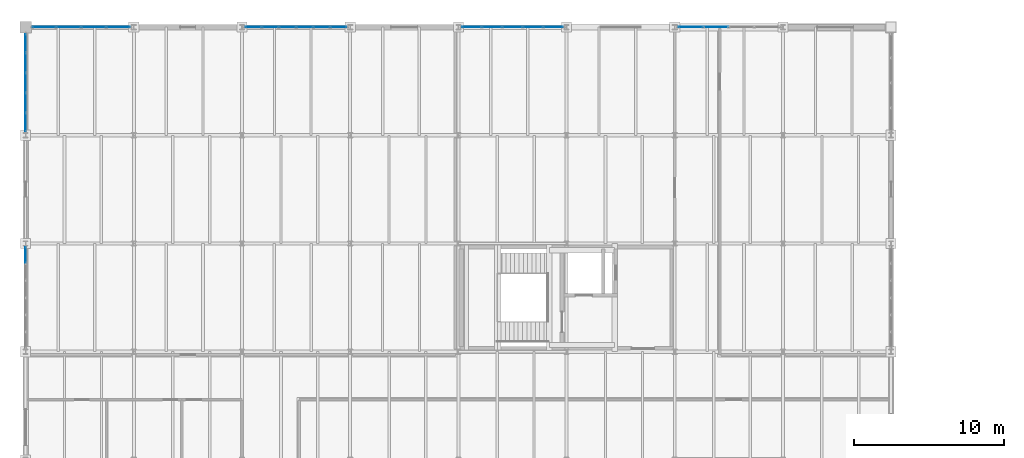
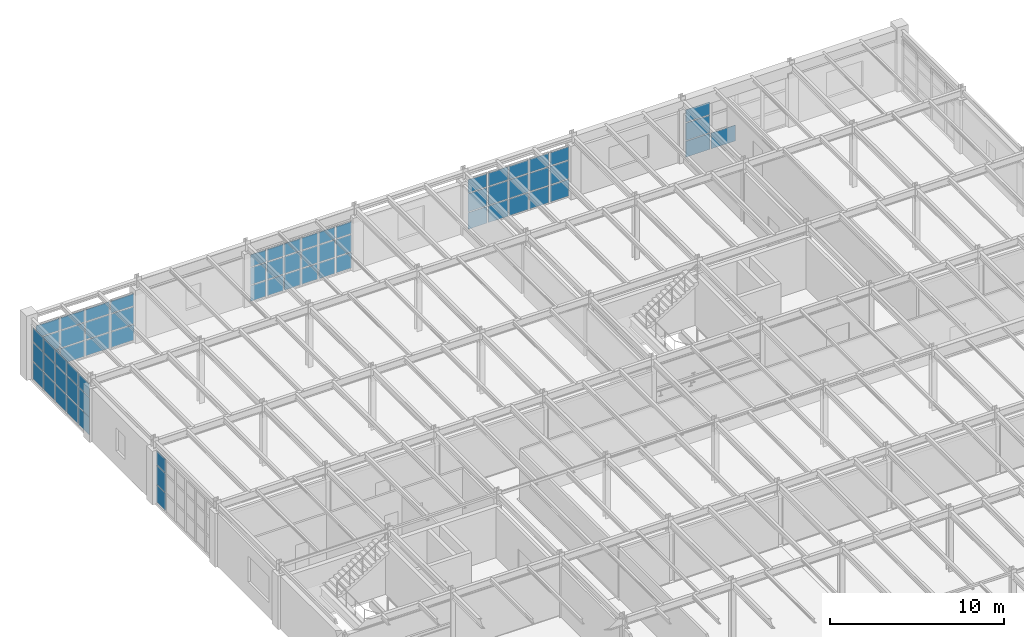
# One storey, part 114 of 137: 67 plates, 6 elements without a shape of their own.
"""IFC4 building model written with IfcOpenShell, lengths in metres."""

from ifc_helpers import new_model, si_unit, direction, frame, origin, origin_2d, place, context, subcontext, project, spatial, rectangle, extrude, material, layer, layer_set, type_object, element, aggregate, save


model = new_model("IFC4")

# Units and contexts
model_context = context("Model", 3, precision=1e-05, world=origin(), true_north=direction((0.0, 1.0)))
body_context = subcontext(model_context, "Body", "Model", "MODEL_VIEW")
ifc_project = project(units=[si_unit("LENGTHUNIT", "METRE"), si_unit("AREAUNIT", "SQUARE_METRE"), si_unit("VOLUMEUNIT", "CUBIC_METRE"), si_unit("PLANEANGLEUNIT", "RADIAN"), si_unit("MASSUNIT", "GRAM", prefix="KILO")], contexts=[model_context])

# Site, building, storey
site_placement = place(None, origin())
site = spatial("IfcSite", under=ifc_project, at=site_placement, CompositionType="ELEMENT")
building_placement = place(site_placement, origin())
building = spatial("IfcBuilding", under=site, at=building_placement, Name="Kemerveld Promenade Tramway Depot", CompositionType="ELEMENT")
storey_placement = place(building_placement, frame((0.0, 0.0, 5.39990234375)))
storey = spatial("IfcBuildingStorey", under=building, at=storey_placement, Name="L01", CompositionType="ELEMENT", Elevation=5.39990234375)

# Curtain wall, plates
ifc_material_1 = material(Name="Bronze anodised aluminium and solar glass", Category="aluminium")
ifc_layer_1 = layer(ifc_material_1, 0.199951171875)
ifc_layer_set_1 = layer_set([ifc_layer_1], Name="CW-SYS-10")
curtain_wall_type_1 = type_object("IfcCurtainWallType", Name="CW-SYS-10", PredefinedType="USERDEFINED", material=ifc_layer_set_1)
curtain_wall_1_placement = place(storey_placement, origin())
curtain_wall_1 = element("IfcCurtainWall", 1, at=curtain_wall_1_placement, inside=storey, type_object=curtain_wall_type_1, Name="CW-L01-V5N-07", ObjectType="GLAZED_CURTAIN_WALL", PredefinedType="USERDEFINED")
ifc_material_2 = material(Name="Solar-control laminated double glazing", Category="glass")
ifc_layer_2 = layer(ifc_material_2, 0.028076171875)
ifc_layer_set_2 = layer_set([ifc_layer_2], Name="CW-PNL-02")
plate_type_1 = type_object("IfcPlateType", Name="CW-PNL-02", PredefinedType="CURTAIN_PANEL", material=ifc_layer_set_2)
plate_1_placement = place(storey_placement, frame((44.25634765625, 79.199951171875, 0.065185546875), z_axis=(0.0, 0.0, 1.0), x_axis=(1.0, 0.0, 0.0)))
plate_1 = element("IfcPlate", 2, at=plate_1_placement, type_object=plate_type_1, Name="CW10 panel 1.1", PredefinedType="CURTAIN_PANEL", context=body_context, shape_type="SweptSolid", body=[
    extrude(rectangle(XDim=1.595703125, YDim=0.028076171875, at=origin_2d()), origin(), (0.0, 0.0, 1.0), 1.1064453125),
])
plate_2_placement = place(storey_placement, frame((44.25634765625, 79.199951171875, 1.236572265625), z_axis=(0.0, 0.0, 1.0), x_axis=(1.0, 0.0, 0.0)))
plate_2 = element("IfcPlate", 3, at=plate_2_placement, type_object=plate_type_1, Name="CW10 panel 1.2", PredefinedType="CURTAIN_PANEL", context=body_context, shape_type="SweptSolid", body=[
    extrude(rectangle(XDim=1.595703125, YDim=0.028076171875, at=origin_2d()), origin(), (0.0, 0.0, 1.0), 1.2080078125),
])
plate_3_placement = place(storey_placement, frame((44.25634765625, 79.199951171875, 2.509765625), z_axis=(0.0, 0.0, 1.0), x_axis=(1.0, 0.0, 0.0)))
plate_3 = element("IfcPlate", 4, at=plate_3_placement, type_object=plate_type_1, Name="CW10 panel 1.3", PredefinedType="CURTAIN_PANEL", context=body_context, shape_type="SweptSolid", body=[
    extrude(rectangle(XDim=1.595703125, YDim=0.028076171875, at=origin_2d()), origin(), (0.0, 0.0, 1.0), 0.865478515625),
])
plate_4_placement = place(storey_placement, frame((45.94580078125, 79.199951171875, 0.065185546875), z_axis=(0.0, 0.0, 1.0), x_axis=(1.0, 0.0, 0.0)))
plate_4 = element("IfcPlate", 5, at=plate_4_placement, type_object=plate_type_1, Name="CW10 panel 2.1", PredefinedType="CURTAIN_PANEL", context=body_context, shape_type="SweptSolid", body=[
    extrude(rectangle(XDim=1.63330078125, YDim=0.028076171875, at=origin_2d()), origin(), (0.0, 0.0, 1.0), 1.1064453125),
])
aggregate(curtain_wall_1, [plate_1, plate_2, plate_3, plate_4])

ifc_layer_3 = layer(ifc_material_1, 0.199951171875)
ifc_layer_set_3 = layer_set([ifc_layer_3], Name="CW-SYS-12")
curtain_wall_type_2 = type_object("IfcCurtainWallType", Name="CW-SYS-12", PredefinedType="USERDEFINED", material=ifc_layer_set_3)
curtain_wall_2_placement = place(storey_placement, origin())
curtain_wall_2 = element("IfcCurtainWall", 6, at=curtain_wall_2_placement, inside=storey, type_object=curtain_wall_type_2, Name="CW-L01-V5W-09", ObjectType="GLAZED_CURTAIN_WALL", PredefinedType="USERDEFINED")
ifc_layer_4 = layer(ifc_material_2, 0.031982421875)
ifc_layer_set_4 = layer_set([ifc_layer_4], Name="CW-PNL-04")
plate_type_2 = type_object("IfcPlateType", Name="CW-PNL-04", PredefinedType="CURTAIN_PANEL", material=ifc_layer_set_4)
plate_5_placement = place(storey_placement, frame((0.0, 64.0283203125, 0.06494140625), z_axis=(0.0, 0.0, 1.0), x_axis=(0.0, 1.0, 0.0)))
plate_5 = element("IfcPlate", 7, at=plate_5_placement, type_object=plate_type_2, Name="CW12 panel 6.1", PredefinedType="CURTAIN_PANEL", context=body_context, shape_type="SweptSolid", body=[
    extrude(rectangle(XDim=1.0263671875, YDim=0.031982421875, at=origin_2d()), origin(), (0.0, 0.0, 1.0), 1.198486328125),
])
plate_6_placement = place(storey_placement, frame((0.0, 64.0283203125, 1.32861328125), z_axis=(0.0, 0.0, 1.0), x_axis=(0.0, 1.0, 0.0)))
plate_6 = element("IfcPlate", 8, at=plate_6_placement, type_object=plate_type_2, Name="CW12 panel 6.2", PredefinedType="CURTAIN_PANEL", context=body_context, shape_type="SweptSolid", body=[
    extrude(rectangle(XDim=1.0263671875, YDim=0.031982421875, at=origin_2d()), origin(), (0.0, 0.0, 1.0), 1.304931640625),
])
plate_7_placement = place(storey_placement, frame((0.0, 64.0283203125, 2.698486328125), z_axis=(0.0, 0.0, 1.0), x_axis=(0.0, 1.0, 0.0)))
plate_7 = element("IfcPlate", 9, at=plate_7_placement, type_object=plate_type_2, Name="CW12 panel 6.3", PredefinedType="CURTAIN_PANEL", context=body_context, shape_type="SweptSolid", body=[
    extrude(rectangle(XDim=1.0263671875, YDim=0.031982421875, at=origin_2d()), origin(), (0.0, 0.0, 1.0), 0.93994140625),
])
aggregate(curtain_wall_2, [plate_5, plate_6, plate_7])

ifc_layer_5 = layer(ifc_material_1, 0.199951171875)
ifc_layer_set_5 = layer_set([ifc_layer_5], Name="CW-SYS-04")
curtain_wall_type_3 = type_object("IfcCurtainWallType", Name="CW-SYS-04", PredefinedType="USERDEFINED", material=ifc_layer_set_5)
curtain_wall_3_placement = place(storey_placement, origin())
curtain_wall_3 = element("IfcCurtainWall", 10, at=curtain_wall_3_placement, inside=storey, type_object=curtain_wall_type_3, Name="CW-L01-V5N-01", ObjectType="GLAZED_CURTAIN_WALL", PredefinedType="USERDEFINED")
plate_8_placement = place(storey_placement, frame((1.241455078125, 79.199951171875, 0.065185546875), z_axis=(0.0, 0.0, 1.0), x_axis=(1.0, 0.0, 0.0)))
plate_8 = element("IfcPlate", 11, at=plate_8_placement, type_object=plate_type_2, Name="CW04 panel 1.1", PredefinedType="CURTAIN_PANEL", context=body_context, shape_type="SweptSolid", body=[
    extrude(rectangle(XDim=1.54296875, YDim=0.031982421875, at=origin_2d()), origin(), (0.0, 0.0, 1.0), 1.08837890625),
])
plate_9_placement = place(storey_placement, frame((1.241455078125, 79.199951171875, 1.218505859375), z_axis=(0.0, 0.0, 1.0), x_axis=(1.0, 0.0, 0.0)))
plate_9 = element("IfcPlate", 12, at=plate_9_placement, type_object=plate_type_2, Name="CW04 panel 1.2", PredefinedType="CURTAIN_PANEL", context=body_context, shape_type="SweptSolid", body=[
    extrude(rectangle(XDim=1.54296875, YDim=0.031982421875, at=origin_2d()), origin(), (0.0, 0.0, 1.0), 1.18896484375),
])
plate_10_placement = place(storey_placement, frame((1.241455078125, 79.199951171875, 2.47265625), z_axis=(0.0, 0.0, 1.0), x_axis=(1.0, 0.0, 0.0)))
plate_10 = element("IfcPlate", 13, at=plate_10_placement, type_object=plate_type_2, Name="CW04 panel 1.3", PredefinedType="CURTAIN_PANEL", context=body_context, shape_type="SweptSolid", body=[
    extrude(rectangle(XDim=1.54296875, YDim=0.031982421875, at=origin_2d()), origin(), (0.0, 0.0, 1.0), 0.851806640625),
])
plate_11_placement = place(storey_placement, frame((2.8779296875, 79.199951171875, 0.065185546875), z_axis=(0.0, 0.0, 1.0), x_axis=(1.0, 0.0, 0.0)))
plate_11 = element("IfcPlate", 14, at=plate_11_placement, type_object=plate_type_2, Name="CW04 panel 2.1", PredefinedType="CURTAIN_PANEL", context=body_context, shape_type="SweptSolid", body=[
    extrude(rectangle(XDim=1.580322265625, YDim=0.031982421875, at=origin_2d()), origin(), (0.0, 0.0, 1.0), 1.08837890625),
])
plate_12_placement = place(storey_placement, frame((2.8779296875, 79.199951171875, 1.218505859375), z_axis=(0.0, 0.0, 1.0), x_axis=(1.0, 0.0, 0.0)))
plate_12 = element("IfcPlate", 15, at=plate_12_placement, type_object=plate_type_2, Name="CW04 panel 2.2", PredefinedType="CURTAIN_PANEL", context=body_context, shape_type="SweptSolid", body=[
    extrude(rectangle(XDim=1.580322265625, YDim=0.031982421875, at=origin_2d()), origin(), (0.0, 0.0, 1.0), 1.18896484375),
])
plate_13_placement = place(storey_placement, frame((2.8779296875, 79.199951171875, 2.47265625), z_axis=(0.0, 0.0, 1.0), x_axis=(1.0, 0.0, 0.0)))
plate_13 = element("IfcPlate", 16, at=plate_13_placement, type_object=plate_type_2, Name="CW04 panel 2.3", PredefinedType="CURTAIN_PANEL", context=body_context, shape_type="SweptSolid", body=[
    extrude(rectangle(XDim=1.580322265625, YDim=0.031982421875, at=origin_2d()), origin(), (0.0, 0.0, 1.0), 0.851806640625),
])
plate_14_placement = place(storey_placement, frame((4.533447265625, 79.199951171875, 0.065185546875), z_axis=(0.0, 0.0, 1.0), x_axis=(1.0, 0.0, 0.0)))
plate_14 = element("IfcPlate", 17, at=plate_14_placement, type_object=plate_type_2, Name="CW04 panel 3.1", PredefinedType="CURTAIN_PANEL", context=body_context, shape_type="SweptSolid", body=[
    extrude(rectangle(XDim=1.580322265625, YDim=0.031982421875, at=origin_2d()), origin(), (0.0, 0.0, 1.0), 1.08837890625),
])
plate_15_placement = place(storey_placement, frame((4.533447265625, 79.199951171875, 1.218505859375), z_axis=(0.0, 0.0, 1.0), x_axis=(1.0, 0.0, 0.0)))
plate_15 = element("IfcPlate", 18, at=plate_15_placement, type_object=plate_type_2, Name="CW04 panel 3.2", PredefinedType="CURTAIN_PANEL", context=body_context, shape_type="SweptSolid", body=[
    extrude(rectangle(XDim=1.580322265625, YDim=0.031982421875, at=origin_2d()), origin(), (0.0, 0.0, 1.0), 1.18896484375),
])
plate_16_placement = place(storey_placement, frame((4.533447265625, 79.199951171875, 2.47265625), z_axis=(0.0, 0.0, 1.0), x_axis=(1.0, 0.0, 0.0)))
plate_16 = element("IfcPlate", 19, at=plate_16_placement, type_object=plate_type_2, Name="CW04 panel 3.3", PredefinedType="CURTAIN_PANEL", context=body_context, shape_type="SweptSolid", body=[
    extrude(rectangle(XDim=1.580322265625, YDim=0.031982421875, at=origin_2d()), origin(), (0.0, 0.0, 1.0), 0.851806640625),
])
plate_17_placement = place(storey_placement, frame((6.169921875, 79.199951171875, 0.065185546875), z_axis=(0.0, 0.0, 1.0), x_axis=(1.0, 0.0, 0.0)))
plate_17 = element("IfcPlate", 20, at=plate_17_placement, type_object=plate_type_2, Name="CW04 panel 4.1", PredefinedType="CURTAIN_PANEL", context=body_context, shape_type="SweptSolid", body=[
    extrude(rectangle(XDim=1.54296875, YDim=0.031982421875, at=origin_2d()), origin(), (0.0, 0.0, 1.0), 1.08837890625),
])
plate_18_placement = place(storey_placement, frame((6.169921875, 79.199951171875, 1.218505859375), z_axis=(0.0, 0.0, 1.0), x_axis=(1.0, 0.0, 0.0)))
plate_18 = element("IfcPlate", 21, at=plate_18_placement, type_object=plate_type_2, Name="CW04 panel 4.2", PredefinedType="CURTAIN_PANEL", context=body_context, shape_type="SweptSolid", body=[
    extrude(rectangle(XDim=1.54296875, YDim=0.031982421875, at=origin_2d()), origin(), (0.0, 0.0, 1.0), 1.18896484375),
])
plate_19_placement = place(storey_placement, frame((6.169921875, 79.199951171875, 2.47265625), z_axis=(0.0, 0.0, 1.0), x_axis=(1.0, 0.0, 0.0)))
plate_19 = element("IfcPlate", 22, at=plate_19_placement, type_object=plate_type_2, Name="CW04 panel 4.3", PredefinedType="CURTAIN_PANEL", context=body_context, shape_type="SweptSolid", body=[
    extrude(rectangle(XDim=1.54296875, YDim=0.031982421875, at=origin_2d()), origin(), (0.0, 0.0, 1.0), 0.851806640625),
])
aggregate(curtain_wall_3, [plate_8, plate_9, plate_10, plate_11, plate_12, plate_13, plate_14, plate_15, plate_16, plate_17, plate_18, plate_19])

ifc_layer_6 = layer(ifc_material_1, 0.199951171875)
ifc_layer_set_6 = layer_set([ifc_layer_6], Name="CW-SYS-14")
curtain_wall_type_4 = type_object("IfcCurtainWallType", Name="CW-SYS-14", PredefinedType="USERDEFINED", material=ifc_layer_set_6)
curtain_wall_4_placement = place(storey_placement, origin())
curtain_wall_4 = element("IfcCurtainWall", 23, at=curtain_wall_4_placement, inside=storey, type_object=curtain_wall_type_4, Name="CW-L01-V5W-11", ObjectType="GLAZED_CURTAIN_WALL", PredefinedType="USERDEFINED")
ifc_layer_7 = layer(ifc_material_2, 0.02587890625)
ifc_layer_set_7 = layer_set([ifc_layer_7], Name="CW-PNL-06")
plate_type_3 = type_object("IfcPlateType", Name="CW-PNL-06", PredefinedType="CURTAIN_PANEL", material=ifc_layer_set_7)
plate_20_placement = place(storey_placement, frame((0.0, 72.864501953125, 0.06494140625), z_axis=(0.0, 0.0, 1.0), x_axis=(0.0, 1.0, 0.0)))
plate_20 = element("IfcPlate", 24, at=plate_20_placement, type_object=plate_type_3, Name="CW14 panel 1.1", PredefinedType="CURTAIN_PANEL", context=body_context, shape_type="SweptSolid", body=[
    extrude(rectangle(XDim=1.2119140625, YDim=0.02587890625, at=origin_2d()), origin(), (0.0, 0.0, 1.0), 1.198486328125),
])
plate_21_placement = place(storey_placement, frame((0.0, 72.864501953125, 1.32861328125), z_axis=(0.0, 0.0, 1.0), x_axis=(0.0, 1.0, 0.0)))
plate_21 = element("IfcPlate", 25, at=plate_21_placement, type_object=plate_type_3, Name="CW14 panel 1.2", PredefinedType="CURTAIN_PANEL", context=body_context, shape_type="SweptSolid", body=[
    extrude(rectangle(XDim=1.2119140625, YDim=0.02587890625, at=origin_2d()), origin(), (0.0, 0.0, 1.0), 1.304931640625),
])
plate_22_placement = place(storey_placement, frame((0.0, 72.864501953125, 2.698486328125), z_axis=(0.0, 0.0, 1.0), x_axis=(0.0, 1.0, 0.0)))
plate_22 = element("IfcPlate", 26, at=plate_22_placement, type_object=plate_type_3, Name="CW14 panel 1.3", PredefinedType="CURTAIN_PANEL", context=body_context, shape_type="SweptSolid", body=[
    extrude(rectangle(XDim=1.2119140625, YDim=0.02587890625, at=origin_2d()), origin(), (0.0, 0.0, 1.0), 0.93994140625),
])
plate_23_placement = place(storey_placement, frame((0.0, 74.169921875, 0.06494140625), z_axis=(0.0, 0.0, 1.0), x_axis=(0.0, 1.0, 0.0)))
plate_23 = element("IfcPlate", 27, at=plate_23_placement, type_object=plate_type_3, Name="CW14 panel 2.1", PredefinedType="CURTAIN_PANEL", context=body_context, shape_type="SweptSolid", body=[
    extrude(rectangle(XDim=1.249267578125, YDim=0.02587890625, at=origin_2d()), origin(), (0.0, 0.0, 1.0), 1.198486328125),
])
plate_24_placement = place(storey_placement, frame((0.0, 74.169921875, 1.32861328125), z_axis=(0.0, 0.0, 1.0), x_axis=(0.0, 1.0, 0.0)))
plate_24 = element("IfcPlate", 28, at=plate_24_placement, type_object=plate_type_3, Name="CW14 panel 2.2", PredefinedType="CURTAIN_PANEL", context=body_context, shape_type="SweptSolid", body=[
    extrude(rectangle(XDim=1.249267578125, YDim=0.02587890625, at=origin_2d()), origin(), (0.0, 0.0, 1.0), 1.304931640625),
])
plate_25_placement = place(storey_placement, frame((0.0, 74.169921875, 2.698486328125), z_axis=(0.0, 0.0, 1.0), x_axis=(0.0, 1.0, 0.0)))
plate_25 = element("IfcPlate", 29, at=plate_25_placement, type_object=plate_type_3, Name="CW14 panel 2.3", PredefinedType="CURTAIN_PANEL", context=body_context, shape_type="SweptSolid", body=[
    extrude(rectangle(XDim=1.249267578125, YDim=0.02587890625, at=origin_2d()), origin(), (0.0, 0.0, 1.0), 0.93994140625),
])
plate_26_placement = place(storey_placement, frame((0.0, 75.494140625, 0.06494140625), z_axis=(0.0, 0.0, 1.0), x_axis=(0.0, 1.0, 0.0)))
plate_26 = element("IfcPlate", 30, at=plate_26_placement, type_object=plate_type_3, Name="CW14 panel 3.1", PredefinedType="CURTAIN_PANEL", context=body_context, shape_type="SweptSolid", body=[
    extrude(rectangle(XDim=1.249267578125, YDim=0.02587890625, at=origin_2d()), origin(), (0.0, 0.0, 1.0), 1.198486328125),
])
plate_27_placement = place(storey_placement, frame((0.0, 75.494140625, 1.32861328125), z_axis=(0.0, 0.0, 1.0), x_axis=(0.0, 1.0, 0.0)))
plate_27 = element("IfcPlate", 31, at=plate_27_placement, type_object=plate_type_3, Name="CW14 panel 3.2", PredefinedType="CURTAIN_PANEL", context=body_context, shape_type="SweptSolid", body=[
    extrude(rectangle(XDim=1.249267578125, YDim=0.02587890625, at=origin_2d()), origin(), (0.0, 0.0, 1.0), 1.304931640625),
])
plate_28_placement = place(storey_placement, frame((0.0, 75.494140625, 2.698486328125), z_axis=(0.0, 0.0, 1.0), x_axis=(0.0, 1.0, 0.0)))
plate_28 = element("IfcPlate", 32, at=plate_28_placement, type_object=plate_type_3, Name="CW14 panel 3.3", PredefinedType="CURTAIN_PANEL", context=body_context, shape_type="SweptSolid", body=[
    extrude(rectangle(XDim=1.249267578125, YDim=0.02587890625, at=origin_2d()), origin(), (0.0, 0.0, 1.0), 0.93994140625),
])
plate_29_placement = place(storey_placement, frame((0.0, 76.818603515625, 0.06494140625), z_axis=(0.0, 0.0, 1.0), x_axis=(0.0, 1.0, 0.0)))
plate_29 = element("IfcPlate", 33, at=plate_29_placement, type_object=plate_type_3, Name="CW14 panel 4.1", PredefinedType="CURTAIN_PANEL", context=body_context, shape_type="SweptSolid", body=[
    extrude(rectangle(XDim=1.249267578125, YDim=0.02587890625, at=origin_2d()), origin(), (0.0, 0.0, 1.0), 1.198486328125),
])
plate_30_placement = place(storey_placement, frame((0.0, 76.818603515625, 1.32861328125), z_axis=(0.0, 0.0, 1.0), x_axis=(0.0, 1.0, 0.0)))
plate_30 = element("IfcPlate", 34, at=plate_30_placement, type_object=plate_type_3, Name="CW14 panel 4.2", PredefinedType="CURTAIN_PANEL", context=body_context, shape_type="SweptSolid", body=[
    extrude(rectangle(XDim=1.249267578125, YDim=0.02587890625, at=origin_2d()), origin(), (0.0, 0.0, 1.0), 1.304931640625),
])
plate_31_placement = place(storey_placement, frame((0.0, 76.818603515625, 2.698486328125), z_axis=(0.0, 0.0, 1.0), x_axis=(0.0, 1.0, 0.0)))
plate_31 = element("IfcPlate", 35, at=plate_31_placement, type_object=plate_type_3, Name="CW14 panel 4.3", PredefinedType="CURTAIN_PANEL", context=body_context, shape_type="SweptSolid", body=[
    extrude(rectangle(XDim=1.249267578125, YDim=0.02587890625, at=origin_2d()), origin(), (0.0, 0.0, 1.0), 0.93994140625),
])
plate_32_placement = place(storey_placement, frame((0.0, 78.1240234375, 0.06494140625), z_axis=(0.0, 0.0, 1.0), x_axis=(0.0, 1.0, 0.0)))
plate_32 = element("IfcPlate", 36, at=plate_32_placement, type_object=plate_type_3, Name="CW14 panel 5.1", PredefinedType="CURTAIN_PANEL", context=body_context, shape_type="SweptSolid", body=[
    extrude(rectangle(XDim=1.2119140625, YDim=0.02587890625, at=origin_2d()), origin(), (0.0, 0.0, 1.0), 1.198486328125),
])
plate_33_placement = place(storey_placement, frame((0.0, 78.1240234375, 1.32861328125), z_axis=(0.0, 0.0, 1.0), x_axis=(0.0, 1.0, 0.0)))
plate_33 = element("IfcPlate", 37, at=plate_33_placement, type_object=plate_type_3, Name="CW14 panel 5.2", PredefinedType="CURTAIN_PANEL", context=body_context, shape_type="SweptSolid", body=[
    extrude(rectangle(XDim=1.2119140625, YDim=0.02587890625, at=origin_2d()), origin(), (0.0, 0.0, 1.0), 1.304931640625),
])
plate_34_placement = place(storey_placement, frame((0.0, 78.1240234375, 2.698486328125), z_axis=(0.0, 0.0, 1.0), x_axis=(0.0, 1.0, 0.0)))
plate_34 = element("IfcPlate", 38, at=plate_34_placement, type_object=plate_type_3, Name="CW14 panel 5.3", PredefinedType="CURTAIN_PANEL", context=body_context, shape_type="SweptSolid", body=[
    extrude(rectangle(XDim=1.2119140625, YDim=0.02587890625, at=origin_2d()), origin(), (0.0, 0.0, 1.0), 0.93994140625),
])
aggregate(curtain_wall_4, [plate_20, plate_21, plate_22, plate_23, plate_24, plate_25, plate_26, plate_27, plate_28, plate_29, plate_30, plate_31, plate_32, plate_33, plate_34])

ifc_layer_8 = layer(ifc_material_1, 0.199951171875)
ifc_layer_set_8 = layer_set([ifc_layer_8], Name="CW-SYS-06")
curtain_wall_type_5 = type_object("IfcCurtainWallType", Name="CW-SYS-06", PredefinedType="USERDEFINED", material=ifc_layer_set_8)
curtain_wall_5_placement = place(storey_placement, origin())
curtain_wall_5 = element("IfcCurtainWall", 39, at=curtain_wall_5_placement, inside=storey, type_object=curtain_wall_type_5, Name="CW-L01-V5N-03", ObjectType="GLAZED_CURTAIN_WALL", PredefinedType="USERDEFINED")
plate_35_placement = place(storey_placement, frame((15.171875, 79.199951171875, 0.065185546875), z_axis=(0.0, 0.0, 1.0), x_axis=(1.0, 0.0, 0.0)))
plate_35 = element("IfcPlate", 40, at=plate_35_placement, type_object=plate_type_3, Name="CW06 panel 1.1", PredefinedType="CURTAIN_PANEL", context=body_context, shape_type="SweptSolid", body=[
    extrude(rectangle(XDim=1.0263671875, YDim=0.02587890625, at=origin_2d()), origin(), (0.0, 0.0, 1.0), 1.08837890625),
])
plate_36_placement = place(storey_placement, frame((15.171875, 79.199951171875, 1.218505859375), z_axis=(0.0, 0.0, 1.0), x_axis=(1.0, 0.0, 0.0)))
plate_36 = element("IfcPlate", 41, at=plate_36_placement, type_object=plate_type_3, Name="CW06 panel 1.2", PredefinedType="CURTAIN_PANEL", context=body_context, shape_type="SweptSolid", body=[
    extrude(rectangle(XDim=1.0263671875, YDim=0.02587890625, at=origin_2d()), origin(), (0.0, 0.0, 1.0), 1.18896484375),
])
plate_37_placement = place(storey_placement, frame((15.171875, 79.199951171875, 2.47265625), z_axis=(0.0, 0.0, 1.0), x_axis=(1.0, 0.0, 0.0)))
plate_37 = element("IfcPlate", 42, at=plate_37_placement, type_object=plate_type_3, Name="CW06 panel 1.3", PredefinedType="CURTAIN_PANEL", context=body_context, shape_type="SweptSolid", body=[
    extrude(rectangle(XDim=1.0263671875, YDim=0.02587890625, at=origin_2d()), origin(), (0.0, 0.0, 1.0), 0.851806640625),
])
plate_38_placement = place(storey_placement, frame((16.291748046875, 79.199951171875, 0.065185546875), z_axis=(0.0, 0.0, 1.0), x_axis=(1.0, 0.0, 0.0)))
plate_38 = element("IfcPlate", 43, at=plate_38_placement, type_object=plate_type_3, Name="CW06 panel 2.1", PredefinedType="CURTAIN_PANEL", context=body_context, shape_type="SweptSolid", body=[
    extrude(rectangle(XDim=1.063720703125, YDim=0.02587890625, at=origin_2d()), origin(), (0.0, 0.0, 1.0), 1.08837890625),
])
plate_39_placement = place(storey_placement, frame((16.291748046875, 79.199951171875, 1.218505859375), z_axis=(0.0, 0.0, 1.0), x_axis=(1.0, 0.0, 0.0)))
plate_39 = element("IfcPlate", 44, at=plate_39_placement, type_object=plate_type_3, Name="CW06 panel 2.2", PredefinedType="CURTAIN_PANEL", context=body_context, shape_type="SweptSolid", body=[
    extrude(rectangle(XDim=1.063720703125, YDim=0.02587890625, at=origin_2d()), origin(), (0.0, 0.0, 1.0), 1.18896484375),
])
plate_40_placement = place(storey_placement, frame((16.291748046875, 79.199951171875, 2.47265625), z_axis=(0.0, 0.0, 1.0), x_axis=(1.0, 0.0, 0.0)))
plate_40 = element("IfcPlate", 45, at=plate_40_placement, type_object=plate_type_3, Name="CW06 panel 2.3", PredefinedType="CURTAIN_PANEL", context=body_context, shape_type="SweptSolid", body=[
    extrude(rectangle(XDim=1.063720703125, YDim=0.02587890625, at=origin_2d()), origin(), (0.0, 0.0, 1.0), 0.851806640625),
])
plate_41_placement = place(storey_placement, frame((17.4306640625, 79.199951171875, 0.065185546875), z_axis=(0.0, 0.0, 1.0), x_axis=(1.0, 0.0, 0.0)))
plate_41 = element("IfcPlate", 46, at=plate_41_placement, type_object=plate_type_3, Name="CW06 panel 3.1", PredefinedType="CURTAIN_PANEL", context=body_context, shape_type="SweptSolid", body=[
    extrude(rectangle(XDim=1.063720703125, YDim=0.02587890625, at=origin_2d()), origin(), (0.0, 0.0, 1.0), 1.08837890625),
])
plate_42_placement = place(storey_placement, frame((17.4306640625, 79.199951171875, 1.218505859375), z_axis=(0.0, 0.0, 1.0), x_axis=(1.0, 0.0, 0.0)))
plate_42 = element("IfcPlate", 47, at=plate_42_placement, type_object=plate_type_3, Name="CW06 panel 3.2", PredefinedType="CURTAIN_PANEL", context=body_context, shape_type="SweptSolid", body=[
    extrude(rectangle(XDim=1.063720703125, YDim=0.02587890625, at=origin_2d()), origin(), (0.0, 0.0, 1.0), 1.18896484375),
])
plate_43_placement = place(storey_placement, frame((17.4306640625, 79.199951171875, 2.47265625), z_axis=(0.0, 0.0, 1.0), x_axis=(1.0, 0.0, 0.0)))
plate_43 = element("IfcPlate", 48, at=plate_43_placement, type_object=plate_type_3, Name="CW06 panel 3.3", PredefinedType="CURTAIN_PANEL", context=body_context, shape_type="SweptSolid", body=[
    extrude(rectangle(XDim=1.063720703125, YDim=0.02587890625, at=origin_2d()), origin(), (0.0, 0.0, 1.0), 0.851806640625),
])
plate_44_placement = place(storey_placement, frame((18.569580078125, 79.199951171875, 0.065185546875), z_axis=(0.0, 0.0, 1.0), x_axis=(1.0, 0.0, 0.0)))
plate_44 = element("IfcPlate", 49, at=plate_44_placement, type_object=plate_type_3, Name="CW06 panel 4.1", PredefinedType="CURTAIN_PANEL", context=body_context, shape_type="SweptSolid", body=[
    extrude(rectangle(XDim=1.063720703125, YDim=0.02587890625, at=origin_2d()), origin(), (0.0, 0.0, 1.0), 1.08837890625),
])
plate_45_placement = place(storey_placement, frame((18.569580078125, 79.199951171875, 1.218505859375), z_axis=(0.0, 0.0, 1.0), x_axis=(1.0, 0.0, 0.0)))
plate_45 = element("IfcPlate", 50, at=plate_45_placement, type_object=plate_type_3, Name="CW06 panel 4.2", PredefinedType="CURTAIN_PANEL", context=body_context, shape_type="SweptSolid", body=[
    extrude(rectangle(XDim=1.063720703125, YDim=0.02587890625, at=origin_2d()), origin(), (0.0, 0.0, 1.0), 1.18896484375),
])
plate_46_placement = place(storey_placement, frame((18.569580078125, 79.199951171875, 2.47265625), z_axis=(0.0, 0.0, 1.0), x_axis=(1.0, 0.0, 0.0)))
plate_46 = element("IfcPlate", 51, at=plate_46_placement, type_object=plate_type_3, Name="CW06 panel 4.3", PredefinedType="CURTAIN_PANEL", context=body_context, shape_type="SweptSolid", body=[
    extrude(rectangle(XDim=1.063720703125, YDim=0.02587890625, at=origin_2d()), origin(), (0.0, 0.0, 1.0), 0.851806640625),
])
plate_47_placement = place(storey_placement, frame((19.708251953125, 79.199951171875, 0.065185546875), z_axis=(0.0, 0.0, 1.0), x_axis=(1.0, 0.0, 0.0)))
plate_47 = element("IfcPlate", 52, at=plate_47_placement, type_object=plate_type_3, Name="CW06 panel 5.1", PredefinedType="CURTAIN_PANEL", context=body_context, shape_type="SweptSolid", body=[
    extrude(rectangle(XDim=1.063720703125, YDim=0.02587890625, at=origin_2d()), origin(), (0.0, 0.0, 1.0), 1.08837890625),
])
plate_48_placement = place(storey_placement, frame((19.708251953125, 79.199951171875, 1.218505859375), z_axis=(0.0, 0.0, 1.0), x_axis=(1.0, 0.0, 0.0)))
plate_48 = element("IfcPlate", 53, at=plate_48_placement, type_object=plate_type_3, Name="CW06 panel 5.2", PredefinedType="CURTAIN_PANEL", context=body_context, shape_type="SweptSolid", body=[
    extrude(rectangle(XDim=1.063720703125, YDim=0.02587890625, at=origin_2d()), origin(), (0.0, 0.0, 1.0), 1.18896484375),
])
plate_49_placement = place(storey_placement, frame((19.708251953125, 79.199951171875, 2.47265625), z_axis=(0.0, 0.0, 1.0), x_axis=(1.0, 0.0, 0.0)))
plate_49 = element("IfcPlate", 54, at=plate_49_placement, type_object=plate_type_3, Name="CW06 panel 5.3", PredefinedType="CURTAIN_PANEL", context=body_context, shape_type="SweptSolid", body=[
    extrude(rectangle(XDim=1.063720703125, YDim=0.02587890625, at=origin_2d()), origin(), (0.0, 0.0, 1.0), 0.851806640625),
])
plate_50_placement = place(storey_placement, frame((20.828369140625, 79.199951171875, 0.065185546875), z_axis=(0.0, 0.0, 1.0), x_axis=(1.0, 0.0, 0.0)))
plate_50 = element("IfcPlate", 55, at=plate_50_placement, type_object=plate_type_3, Name="CW06 panel 6.1", PredefinedType="CURTAIN_PANEL", context=body_context, shape_type="SweptSolid", body=[
    extrude(rectangle(XDim=1.0263671875, YDim=0.02587890625, at=origin_2d()), origin(), (0.0, 0.0, 1.0), 1.08837890625),
])
plate_51_placement = place(storey_placement, frame((20.828369140625, 79.199951171875, 1.218505859375), z_axis=(0.0, 0.0, 1.0), x_axis=(1.0, 0.0, 0.0)))
plate_51 = element("IfcPlate", 56, at=plate_51_placement, type_object=plate_type_3, Name="CW06 panel 6.2", PredefinedType="CURTAIN_PANEL", context=body_context, shape_type="SweptSolid", body=[
    extrude(rectangle(XDim=1.0263671875, YDim=0.02587890625, at=origin_2d()), origin(), (0.0, 0.0, 1.0), 1.18896484375),
])
plate_52_placement = place(storey_placement, frame((20.828369140625, 79.199951171875, 2.47265625), z_axis=(0.0, 0.0, 1.0), x_axis=(1.0, 0.0, 0.0)))
plate_52 = element("IfcPlate", 57, at=plate_52_placement, type_object=plate_type_3, Name="CW06 panel 6.3", PredefinedType="CURTAIN_PANEL", context=body_context, shape_type="SweptSolid", body=[
    extrude(rectangle(XDim=1.0263671875, YDim=0.02587890625, at=origin_2d()), origin(), (0.0, 0.0, 1.0), 0.851806640625),
])
aggregate(curtain_wall_5, [plate_35, plate_36, plate_37, plate_38, plate_39, plate_40, plate_41, plate_42, plate_43, plate_44, plate_45, plate_46, plate_47, plate_48, plate_49, plate_50, plate_51, plate_52])

ifc_layer_9 = layer(ifc_material_1, 0.199951171875)
ifc_layer_set_9 = layer_set([ifc_layer_9], Name="CW-SYS-08")
curtain_wall_type_6 = type_object("IfcCurtainWallType", Name="CW-SYS-08", PredefinedType="USERDEFINED", material=ifc_layer_set_9)
curtain_wall_6_placement = place(storey_placement, origin())
curtain_wall_6 = element("IfcCurtainWall", 58, at=curtain_wall_6_placement, inside=storey, type_object=curtain_wall_type_6, Name="CW-L01-V5N-05", ObjectType="GLAZED_CURTAIN_WALL", PredefinedType="USERDEFINED")
ifc_layer_10 = layer(ifc_material_2, 0.028076171875)
ifc_layer_set_10 = layer_set([ifc_layer_10], Name="CW-PNL-08")
plate_type_4 = type_object("IfcPlateType", Name="CW-PNL-08", PredefinedType="CURTAIN_PANEL", material=ifc_layer_set_10)
plate_53_placement = place(storey_placement, frame((29.685546875, 79.199951171875, 0.06494140625), z_axis=(0.0, 0.0, 1.0), x_axis=(1.0, 0.0, 0.0)))
plate_53 = element("IfcPlate", 59, at=plate_53_placement, type_object=plate_type_4, Name="CW08 panel 1.1", PredefinedType="CURTAIN_PANEL", context=body_context, shape_type="SweptSolid", body=[
    extrude(rectangle(XDim=1.254150390625, YDim=0.028076171875, at=origin_2d()), origin(), (0.0, 0.0, 1.0), 1.159423828125),
])
plate_54_placement = place(storey_placement, frame((29.685546875, 79.199951171875, 1.28955078125), z_axis=(0.0, 0.0, 1.0), x_axis=(1.0, 0.0, 0.0)))
plate_54 = element("IfcPlate", 60, at=plate_54_placement, type_object=plate_type_4, Name="CW08 panel 1.2", PredefinedType="CURTAIN_PANEL", context=body_context, shape_type="SweptSolid", body=[
    extrude(rectangle(XDim=1.254150390625, YDim=0.028076171875, at=origin_2d()), origin(), (0.0, 0.0, 1.0), 1.262939453125),
])
plate_55_placement = place(storey_placement, frame((29.685546875, 79.199951171875, 2.61767578125), z_axis=(0.0, 0.0, 1.0), x_axis=(1.0, 0.0, 0.0)))
plate_55 = element("IfcPlate", 61, at=plate_55_placement, type_object=plate_type_4, Name="CW08 panel 1.3", PredefinedType="CURTAIN_PANEL", context=body_context, shape_type="SweptSolid", body=[
    extrude(rectangle(XDim=1.254150390625, YDim=0.028076171875, at=origin_2d()), origin(), (0.0, 0.0, 1.0), 0.907470703125),
])
plate_56_placement = place(storey_placement, frame((31.033447265625, 79.199951171875, 0.06494140625), z_axis=(0.0, 0.0, 1.0), x_axis=(1.0, 0.0, 0.0)))
plate_56 = element("IfcPlate", 62, at=plate_56_placement, type_object=plate_type_4, Name="CW08 panel 2.1", PredefinedType="CURTAIN_PANEL", context=body_context, shape_type="SweptSolid", body=[
    extrude(rectangle(XDim=1.29150390625, YDim=0.028076171875, at=origin_2d()), origin(), (0.0, 0.0, 1.0), 1.159423828125),
])
plate_57_placement = place(storey_placement, frame((31.033447265625, 79.199951171875, 1.28955078125), z_axis=(0.0, 0.0, 1.0), x_axis=(1.0, 0.0, 0.0)))
plate_57 = element("IfcPlate", 63, at=plate_57_placement, type_object=plate_type_4, Name="CW08 panel 2.2", PredefinedType="CURTAIN_PANEL", context=body_context, shape_type="SweptSolid", body=[
    extrude(rectangle(XDim=1.29150390625, YDim=0.028076171875, at=origin_2d()), origin(), (0.0, 0.0, 1.0), 1.262939453125),
])
plate_58_placement = place(storey_placement, frame((31.033447265625, 79.199951171875, 2.61767578125), z_axis=(0.0, 0.0, 1.0), x_axis=(1.0, 0.0, 0.0)))
plate_58 = element("IfcPlate", 64, at=plate_58_placement, type_object=plate_type_4, Name="CW08 panel 2.3", PredefinedType="CURTAIN_PANEL", context=body_context, shape_type="SweptSolid", body=[
    extrude(rectangle(XDim=1.29150390625, YDim=0.028076171875, at=origin_2d()), origin(), (0.0, 0.0, 1.0), 0.907470703125),
])
plate_59_placement = place(storey_placement, frame((32.400146484375, 79.199951171875, 0.06494140625), z_axis=(0.0, 0.0, 1.0), x_axis=(1.0, 0.0, 0.0)))
plate_59 = element("IfcPlate", 65, at=plate_59_placement, type_object=plate_type_4, Name="CW08 panel 3.1", PredefinedType="CURTAIN_PANEL", context=body_context, shape_type="SweptSolid", body=[
    extrude(rectangle(XDim=1.29150390625, YDim=0.028076171875, at=origin_2d()), origin(), (0.0, 0.0, 1.0), 1.159423828125),
])
plate_60_placement = place(storey_placement, frame((32.400146484375, 79.199951171875, 1.28955078125), z_axis=(0.0, 0.0, 1.0), x_axis=(1.0, 0.0, 0.0)))
plate_60 = element("IfcPlate", 66, at=plate_60_placement, type_object=plate_type_4, Name="CW08 panel 3.2", PredefinedType="CURTAIN_PANEL", context=body_context, shape_type="SweptSolid", body=[
    extrude(rectangle(XDim=1.29150390625, YDim=0.028076171875, at=origin_2d()), origin(), (0.0, 0.0, 1.0), 1.262939453125),
])
plate_61_placement = place(storey_placement, frame((32.400146484375, 79.199951171875, 2.61767578125), z_axis=(0.0, 0.0, 1.0), x_axis=(1.0, 0.0, 0.0)))
plate_61 = element("IfcPlate", 67, at=plate_61_placement, type_object=plate_type_4, Name="CW08 panel 3.3", PredefinedType="CURTAIN_PANEL", context=body_context, shape_type="SweptSolid", body=[
    extrude(rectangle(XDim=1.29150390625, YDim=0.028076171875, at=origin_2d()), origin(), (0.0, 0.0, 1.0), 0.907470703125),
])
plate_62_placement = place(storey_placement, frame((33.7666015625, 79.199951171875, 0.06494140625), z_axis=(0.0, 0.0, 1.0), x_axis=(1.0, 0.0, 0.0)))
plate_62 = element("IfcPlate", 68, at=plate_62_placement, type_object=plate_type_4, Name="CW08 panel 4.1", PredefinedType="CURTAIN_PANEL", context=body_context, shape_type="SweptSolid", body=[
    extrude(rectangle(XDim=1.29150390625, YDim=0.028076171875, at=origin_2d()), origin(), (0.0, 0.0, 1.0), 1.159423828125),
])
plate_63_placement = place(storey_placement, frame((33.7666015625, 79.199951171875, 1.28955078125), z_axis=(0.0, 0.0, 1.0), x_axis=(1.0, 0.0, 0.0)))
plate_63 = element("IfcPlate", 69, at=plate_63_placement, type_object=plate_type_4, Name="CW08 panel 4.2", PredefinedType="CURTAIN_PANEL", context=body_context, shape_type="SweptSolid", body=[
    extrude(rectangle(XDim=1.29150390625, YDim=0.028076171875, at=origin_2d()), origin(), (0.0, 0.0, 1.0), 1.262939453125),
])
plate_64_placement = place(storey_placement, frame((33.7666015625, 79.199951171875, 2.61767578125), z_axis=(0.0, 0.0, 1.0), x_axis=(1.0, 0.0, 0.0)))
plate_64 = element("IfcPlate", 70, at=plate_64_placement, type_object=plate_type_4, Name="CW08 panel 4.3", PredefinedType="CURTAIN_PANEL", context=body_context, shape_type="SweptSolid", body=[
    extrude(rectangle(XDim=1.29150390625, YDim=0.028076171875, at=origin_2d()), origin(), (0.0, 0.0, 1.0), 0.907470703125),
])
plate_65_placement = place(storey_placement, frame((35.114501953125, 79.199951171875, 0.06494140625), z_axis=(0.0, 0.0, 1.0), x_axis=(1.0, 0.0, 0.0)))
plate_65 = element("IfcPlate", 71, at=plate_65_placement, type_object=plate_type_4, Name="CW08 panel 5.1", PredefinedType="CURTAIN_PANEL", context=body_context, shape_type="SweptSolid", body=[
    extrude(rectangle(XDim=1.254150390625, YDim=0.028076171875, at=origin_2d()), origin(), (0.0, 0.0, 1.0), 1.159423828125),
])
plate_66_placement = place(storey_placement, frame((35.114501953125, 79.199951171875, 1.28955078125), z_axis=(0.0, 0.0, 1.0), x_axis=(1.0, 0.0, 0.0)))
plate_66 = element("IfcPlate", 72, at=plate_66_placement, type_object=plate_type_4, Name="CW08 panel 5.2", PredefinedType="CURTAIN_PANEL", context=body_context, shape_type="SweptSolid", body=[
    extrude(rectangle(XDim=1.254150390625, YDim=0.028076171875, at=origin_2d()), origin(), (0.0, 0.0, 1.0), 1.262939453125),
])
plate_67_placement = place(storey_placement, frame((35.114501953125, 79.199951171875, 2.61767578125), z_axis=(0.0, 0.0, 1.0), x_axis=(1.0, 0.0, 0.0)))
plate_67 = element("IfcPlate", 73, at=plate_67_placement, type_object=plate_type_4, Name="CW08 panel 5.3", PredefinedType="CURTAIN_PANEL", context=body_context, shape_type="SweptSolid", body=[
    extrude(rectangle(XDim=1.254150390625, YDim=0.028076171875, at=origin_2d()), origin(), (0.0, 0.0, 1.0), 0.907470703125),
])
aggregate(curtain_wall_6, [plate_53, plate_54, plate_55, plate_56, plate_57, plate_58, plate_59, plate_60, plate_61, plate_62, plate_63, plate_64, plate_65, plate_66, plate_67])

save(model, "model.ifc")
